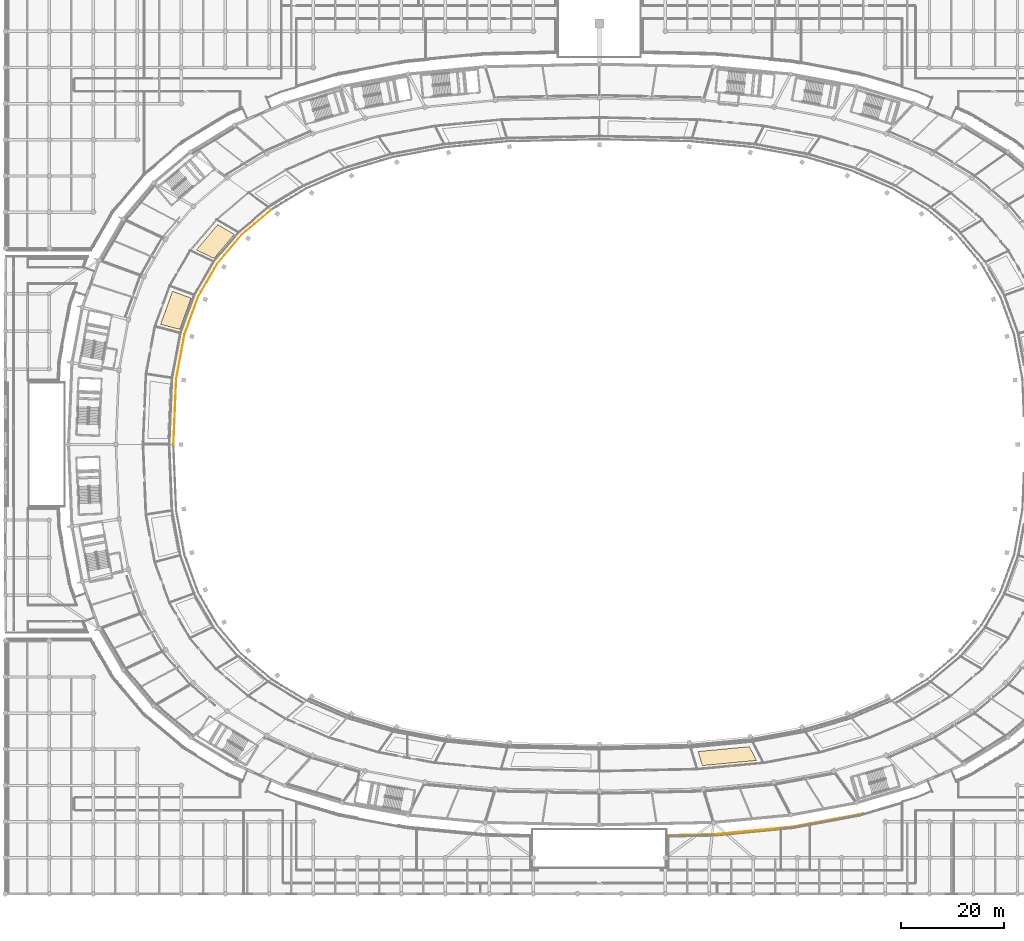
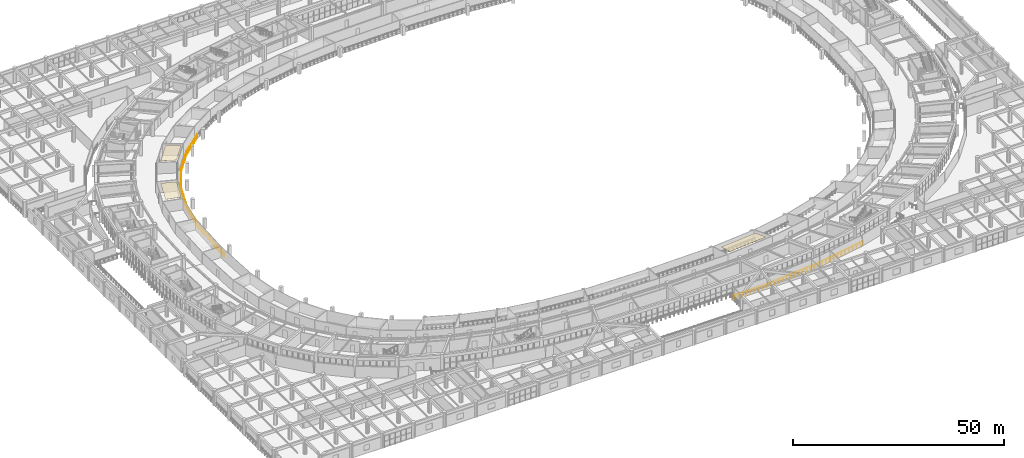
# One storey, part 124 of 141: 3 coverings, 2 railings.
"""IFC4 building model written with IfcOpenShell, lengths in metres."""

from ifc_helpers import new_model, si_unit, direction, frame, origin, origin_2d, place, context, subcontext, project, spatial, polyline, circle, outline, extrude, material, layer, layer_set, type_object, element, save


model = new_model("IFC4")

# Units and contexts
model_context = context("Model", 3, precision=1e-05, world=origin(), true_north=direction((0.0, 1.0)))
body_context = subcontext(model_context, "Body", "Model", "MODEL_VIEW")
ifc_project = project(units=[si_unit("LENGTHUNIT", "METRE"), si_unit("AREAUNIT", "SQUARE_METRE"), si_unit("VOLUMEUNIT", "CUBIC_METRE"), si_unit("PLANEANGLEUNIT", "RADIAN"), si_unit("MASSUNIT", "GRAM", prefix="KILO")], contexts=[model_context])

# Site, building, storey
site_placement = place(None, origin())
site = spatial("IfcSite", under=ifc_project, at=site_placement, CompositionType="ELEMENT")
building_placement = place(site_placement, origin())
building = spatial("IfcBuilding", under=site, at=building_placement, Name="Mphavela Belvedere Stadium", CompositionType="ELEMENT")
storey_placement = place(building_placement, frame((0.0, 0.0, 14.699951171875)))
storey = spatial("IfcBuildingStorey", under=building, at=storey_placement, Name="L03", CompositionType="ELEMENT", Elevation=14.699951171875)

# Coverings
ifc_material_1 = material(Name="Perforated acoustic mineral ceiling tile")
ifc_layer = layer(ifc_material_1, 0.0400390625)
ifc_layer_set = layer_set([ifc_layer], Name="Perforated acoustic mineral ceiling tile")
covering_type = type_object("IfcCoveringType", Name="COV-CEILING-ACOUSTIC", PredefinedType="CEILING", material=ifc_layer_set)
covering_1_placement = place(storey_placement, frame((0.0, 0.0, 3.199951171875)))
element("IfcCovering", 1, at=covering_1_placement, inside=storey, type_object=covering_type, Name="Concourse acoustic ceiling L03-20", PredefinedType="CEILING", context=body_context, shape_type="SweptSolid", body=[
    extrude(outline(polyline([(44.32080078125, 127.683349609375), (40.402099609375, 123.04248046875), (36.976806640625, 124.663818359375), (41.114990234375, 129.564453125), (44.32080078125, 127.683349609375)])), origin(), (0.0, 0.0, 1.0), 0.0400390625),
])
covering_2_placement = place(storey_placement, frame((0.0, 0.0, 3.199951171875)))
element("IfcCovering", 2, at=covering_2_placement, inside=storey, type_object=covering_type, Name="Concourse acoustic ceiling L03-22", PredefinedType="CEILING", context=body_context, shape_type="SweptSolid", body=[
    extrude(outline(polyline([(35.958984375, 115.344970703125), (33.762939453125, 109.291748046875), (30.043701171875, 110.278076171875), (32.362548828125, 116.669921875), (35.958984375, 115.344970703125)])), origin(), (0.0, 0.0, 1.0), 0.0400390625),
])
covering_3_placement = place(storey_placement, frame((0.0, 0.0, 3.199951171875)))
element("IfcCovering", 3, at=covering_3_placement, inside=storey, type_object=covering_type, Name="Concourse acoustic ceiling L03-38", PredefinedType="CEILING", context=body_context, shape_type="SweptSolid", body=[
    extrude(outline(polyline([(134.110595703125, 27.56298828125), (144.038818359375, 28.509765625), (145.41552734375, 25.8447265625), (134.931640625, 24.84521484375), (134.110595703125, 27.56298828125)])), origin(), (0.0, 0.0, 1.0), 0.0400390625),
])

# Railings
ifc_material_2 = material(Name="Bronze and laminated glass stadium balustrade", Category="glass")
railing_type = type_object("IfcRailingType", Name="RAL-BALUSTRADE-1120", PredefinedType="BALUSTRADE", material=ifc_material_2)
railing_1_placement = place(storey_placement, frame((51.526123046875, 132.478515625, 0.0)))
element("IfcRailing", 4, at=railing_1_placement, inside=storey, type_object=railing_type, Name="Bowl safety balustrade l03_bowl S4", PredefinedType="BALUSTRADE", context=body_context, shape_type="SweptSolid", body=[
    extrude(circle(Radius=0.02392578125, at=origin_2d()), frame((0.0, 0.0, 1.09619140625), z_axis=(-0.764258051407, -0.644910560356, 0.0), x_axis=(0.644910560356, -0.764258051407, 0.0)), (0.0, 0.0, 1.0), 7.5361328125),
    extrude(circle(Radius=0.02392578125, at=origin_2d()), frame((-5.759521484375, -4.860107421875, 1.09619140625), z_axis=(-0.645170891965, -0.764038297575, 0.0), x_axis=(0.764038297575, -0.645170891965, 0.0)), (0.0, 0.0, 1.0), 7.338623046875),
    extrude(circle(Radius=0.02392578125, at=origin_2d()), frame((-10.494140625, -10.467041015625, 1.09619140625), z_axis=(-0.500554399388, -0.865705084456, 0.0), x_axis=(0.865705084456, -0.500554399388, 0.0)), (0.0, 0.0, 1.0), 7.390625),
    extrude(circle(Radius=0.02392578125, at=origin_2d()), frame((-14.193603515625, -16.865234375, 1.09619140625), z_axis=(-0.341057611605, -0.940042395622, 0.0), x_axis=(0.940042395622, -0.341057611605, 0.0)), (0.0, 0.0, 1.0), 7.77978515625),
    extrude(circle(Radius=0.02392578125, at=origin_2d()), frame((-16.846923828125, -24.178466796875, 1.09619140625), z_axis=(-0.182605307463, -0.983186300599, 0.0), x_axis=(0.983186300599, -0.182605307463, 0.0)), (0.0, 0.0, 1.0), 8.7412109375),
    extrude(circle(Radius=0.02392578125, at=origin_2d()), frame((-18.443115234375, -32.772705078125, 1.09619140625), z_axis=(-0.041909230152, -0.999121422265, 0.0), x_axis=(0.999121422265, -0.041909230152, 0.0)), (0.0, 0.0, 1.0), 12.717041015625),
    extrude(circle(Radius=0.02099609375, at=origin_2d()), origin(), (0.0, 0.0, 1.0), 1.072021484375),
    extrude(circle(Radius=0.02099609375, at=origin_2d()), frame((-0.82275390625, -0.6943359375, 0.0)), (0.0, 0.0, 1.0), 1.072021484375),
    extrude(circle(Radius=0.02099609375, at=origin_2d()), frame((-1.6455078125, -1.388671875, 0.0)), (0.0, 0.0, 1.0), 1.072021484375),
    extrude(circle(Radius=0.02099609375, at=origin_2d()), frame((-2.46826171875, -2.0830078125, 0.0)), (0.0, 0.0, 1.0), 1.072021484375),
    extrude(circle(Radius=0.02099609375, at=origin_2d()), frame((-3.291259765625, -2.777099609375, 0.0)), (0.0, 0.0, 1.0), 1.072021484375),
    extrude(circle(Radius=0.02099609375, at=origin_2d()), frame((-4.114013671875, -3.471435546875, 0.0)), (0.0, 0.0, 1.0), 1.072021484375),
    extrude(circle(Radius=0.02099609375, at=origin_2d()), frame((-4.936767578125, -4.165771484375, 0.0)), (0.0, 0.0, 1.0), 1.072021484375),
    extrude(circle(Radius=0.02099609375, at=origin_2d()), frame((-5.759521484375, -4.860107421875, 0.0)), (0.0, 0.0, 1.0), 1.072021484375),
    extrude(circle(Radius=0.02099609375, at=origin_2d()), frame((-6.435791015625, -5.6611328125, 0.0)), (0.0, 0.0, 1.0), 1.072021484375),
    extrude(circle(Radius=0.02099609375, at=origin_2d()), frame((-7.1123046875, -6.462158203125, 0.0)), (0.0, 0.0, 1.0), 1.072021484375),
    extrude(circle(Radius=0.02099609375, at=origin_2d()), frame((-7.78857421875, -7.26318359375, 0.0)), (0.0, 0.0, 1.0), 1.072021484375),
    extrude(circle(Radius=0.02099609375, at=origin_2d()), frame((-8.465087890625, -8.06396484375, 0.0)), (0.0, 0.0, 1.0), 1.072021484375),
    extrude(circle(Radius=0.02099609375, at=origin_2d()), frame((-9.141357421875, -8.864990234375, 0.0)), (0.0, 0.0, 1.0), 1.072021484375),
    extrude(circle(Radius=0.02099609375, at=origin_2d()), frame((-9.81787109375, -9.666015625, 0.0)), (0.0, 0.0, 1.0), 1.072021484375),
    extrude(circle(Radius=0.02099609375, at=origin_2d()), frame((-10.494140625, -10.467041015625, 0.0)), (0.0, 0.0, 1.0), 1.072021484375),
    extrude(circle(Radius=0.02099609375, at=origin_2d()), frame((-11.022705078125, -11.381103515625, 0.0)), (0.0, 0.0, 1.0), 1.072021484375),
    extrude(circle(Radius=0.02099609375, at=origin_2d()), frame((-11.551025390625, -12.295166015625, 0.0)), (0.0, 0.0, 1.0), 1.072021484375),
    extrude(circle(Radius=0.02099609375, at=origin_2d()), frame((-12.07958984375, -13.209228515625, 0.0)), (0.0, 0.0, 1.0), 1.072021484375),
    extrude(circle(Radius=0.02099609375, at=origin_2d()), frame((-12.608154296875, -14.123046875, 0.0)), (0.0, 0.0, 1.0), 1.072021484375),
    extrude(circle(Radius=0.02099609375, at=origin_2d()), frame((-13.13671875, -15.037109375, 0.0)), (0.0, 0.0, 1.0), 1.072021484375),
    extrude(circle(Radius=0.02099609375, at=origin_2d()), frame((-13.6650390625, -15.951171875, 0.0)), (0.0, 0.0, 1.0), 1.072021484375),
    extrude(circle(Radius=0.02099609375, at=origin_2d()), frame((-14.193603515625, -16.865234375, 0.0)), (0.0, 0.0, 1.0), 1.072021484375),
    extrude(circle(Radius=0.02099609375, at=origin_2d()), frame((-14.57275390625, -17.909912109375, 0.0)), (0.0, 0.0, 1.0), 1.072021484375),
    extrude(circle(Radius=0.02099609375, at=origin_2d()), frame((-14.95166015625, -18.954833984375, 0.0)), (0.0, 0.0, 1.0), 1.072021484375),
    extrude(circle(Radius=0.02099609375, at=origin_2d()), frame((-15.330810546875, -19.99951171875, 0.0)), (0.0, 0.0, 1.0), 1.072021484375),
    extrude(circle(Radius=0.02099609375, at=origin_2d()), frame((-15.709716796875, -21.044189453125, 0.0)), (0.0, 0.0, 1.0), 1.072021484375),
    extrude(circle(Radius=0.02099609375, at=origin_2d()), frame((-16.0888671875, -22.0888671875, 0.0)), (0.0, 0.0, 1.0), 1.072021484375),
    extrude(circle(Radius=0.02099609375, at=origin_2d()), frame((-16.4677734375, -23.1337890625, 0.0)), (0.0, 0.0, 1.0), 1.072021484375),
    extrude(circle(Radius=0.02099609375, at=origin_2d()), frame((-16.846923828125, -24.178466796875, 0.0)), (0.0, 0.0, 1.0), 1.072021484375),
    extrude(circle(Radius=0.02099609375, at=origin_2d()), frame((-17.04638671875, -25.252685546875, 0.0)), (0.0, 0.0, 1.0), 1.072021484375),
    extrude(circle(Radius=0.02099609375, at=origin_2d()), frame((-17.24609375, -26.3271484375, 0.0)), (0.0, 0.0, 1.0), 1.072021484375),
    extrude(circle(Radius=0.02099609375, at=origin_2d()), frame((-17.445556640625, -27.4013671875, 0.0)), (0.0, 0.0, 1.0), 1.072021484375),
    extrude(circle(Radius=0.02099609375, at=origin_2d()), frame((-17.64501953125, -28.4755859375, 0.0)), (0.0, 0.0, 1.0), 1.072021484375),
    extrude(circle(Radius=0.02099609375, at=origin_2d()), frame((-17.844482421875, -29.5498046875, 0.0)), (0.0, 0.0, 1.0), 1.072021484375),
    extrude(circle(Radius=0.02099609375, at=origin_2d()), frame((-18.0439453125, -30.6240234375, 0.0)), (0.0, 0.0, 1.0), 1.072021484375),
    extrude(circle(Radius=0.02099609375, at=origin_2d()), frame((-18.24365234375, -31.698486328125, 0.0)), (0.0, 0.0, 1.0), 1.072021484375),
    extrude(circle(Radius=0.02099609375, at=origin_2d()), frame((-18.443115234375, -32.772705078125, 0.0)), (0.0, 0.0, 1.0), 1.072021484375),
    extrude(circle(Radius=0.02099609375, at=origin_2d()), frame((-18.491455078125, -33.927734375, 0.0)), (0.0, 0.0, 1.0), 1.072021484375),
    extrude(circle(Radius=0.02099609375, at=origin_2d()), frame((-18.5400390625, -35.082763671875, 0.0)), (0.0, 0.0, 1.0), 1.072021484375),
    extrude(circle(Radius=0.02099609375, at=origin_2d()), frame((-18.58837890625, -36.238037109375, 0.0)), (0.0, 0.0, 1.0), 1.072021484375),
    extrude(circle(Radius=0.02099609375, at=origin_2d()), frame((-18.636962890625, -37.39306640625, 0.0)), (0.0, 0.0, 1.0), 1.072021484375),
    extrude(circle(Radius=0.02099609375, at=origin_2d()), frame((-18.685302734375, -38.548095703125, 0.0)), (0.0, 0.0, 1.0), 1.072021484375),
    extrude(circle(Radius=0.02099609375, at=origin_2d()), frame((-18.73388671875, -39.703125, 0.0)), (0.0, 0.0, 1.0), 1.072021484375),
    extrude(circle(Radius=0.02099609375, at=origin_2d()), frame((-18.7822265625, -40.858154296875, 0.0)), (0.0, 0.0, 1.0), 1.072021484375),
    extrude(circle(Radius=0.02099609375, at=origin_2d()), frame((-18.830810546875, -42.01318359375, 0.0)), (0.0, 0.0, 1.0), 1.072021484375),
    extrude(circle(Radius=0.02099609375, at=origin_2d()), frame((-18.879150390625, -43.16845703125, 0.0)), (0.0, 0.0, 1.0), 1.072021484375),
    extrude(circle(Radius=0.02099609375, at=origin_2d()), frame((-18.927734375, -44.323486328125, 0.0)), (0.0, 0.0, 1.0), 1.072021484375),
    extrude(circle(Radius=0.02099609375, at=origin_2d()), frame((-18.97607421875, -45.478515625, 0.0)), (0.0, 0.0, 1.0), 1.072021484375),
])
railing_2_placement = place(storey_placement, frame((128.280029296875, 11.33544921875, 0.0)))
element("IfcRailing", 5, at=railing_2_placement, inside=storey, type_object=railing_type, Name="Peristyle wing gallery edge balustrade L03-05", PredefinedType="BALUSTRADE", context=body_context, shape_type="SweptSolid", body=[
    extrude(circle(Radius=0.02392578125, at=origin_2d()), frame((0.0, 0.0, 1.09619140625), z_axis=(0.999754122282, 0.022174196285, 0.0), x_axis=(-0.022174196285, 0.999754122282, 0.0)), (0.0, 0.0, 1.0), 9.05029296875),
    extrude(circle(Radius=0.02392578125, at=origin_2d()), frame((9.048095703125, 0.20068359375, 1.09619140625), z_axis=(0.995483637339, 0.094933280733, 0.0), x_axis=(-0.094933280733, 0.995483637339, 0.0)), (0.0, 0.0, 1.0), 15.029052734375),
    extrude(circle(Radius=0.02392578125, at=origin_2d()), frame((24.00927734375, 1.62744140625, 1.09619140625), z_axis=(0.983218910266, 0.18242964259, 0.0), x_axis=(-0.18242964259, 0.983218910266, 0.0)), (0.0, 0.0, 1.0), 13.14990234375),
    extrude(circle(Radius=0.02392578125, at=origin_2d()), frame((36.9384765625, 4.0263671875, 1.09619140625), z_axis=(0.962491054974, 0.271313414882, 0.0), x_axis=(-0.271313414882, 0.962491054974, 0.0)), (0.0, 0.0, 1.0), 0.908935546875),
    extrude(circle(Radius=0.02099609375, at=origin_2d()), origin(), (0.0, 0.0, 1.0), 1.072021484375),
    extrude(circle(Radius=0.02099609375, at=origin_2d()), frame((1.131103515625, 0.025146484375, 0.0)), (0.0, 0.0, 1.0), 1.072021484375),
    extrude(circle(Radius=0.02099609375, at=origin_2d()), frame((2.261962890625, 0.05029296875, 0.0)), (0.0, 0.0, 1.0), 1.072021484375),
    extrude(circle(Radius=0.02099609375, at=origin_2d()), frame((3.39306640625, 0.0751953125, 0.0)), (0.0, 0.0, 1.0), 1.072021484375),
    extrude(circle(Radius=0.02099609375, at=origin_2d()), frame((4.52392578125, 0.100341796875, 0.0)), (0.0, 0.0, 1.0), 1.072021484375),
    extrude(circle(Radius=0.02099609375, at=origin_2d()), frame((5.655029296875, 0.12548828125, 0.0)), (0.0, 0.0, 1.0), 1.072021484375),
    extrude(circle(Radius=0.02099609375, at=origin_2d()), frame((6.7861328125, 0.150390625, 0.0)), (0.0, 0.0, 1.0), 1.072021484375),
    extrude(circle(Radius=0.02099609375, at=origin_2d()), frame((7.9169921875, 0.175537109375, 0.0)), (0.0, 0.0, 1.0), 1.072021484375),
    extrude(circle(Radius=0.02099609375, at=origin_2d()), frame((9.048095703125, 0.20068359375, 0.0)), (0.0, 0.0, 1.0), 1.072021484375),
    extrude(circle(Radius=0.02099609375, at=origin_2d()), frame((10.198974609375, 0.310546875, 0.0)), (0.0, 0.0, 1.0), 1.072021484375),
    extrude(circle(Radius=0.02099609375, at=origin_2d()), frame((11.349853515625, 0.420166015625, 0.0)), (0.0, 0.0, 1.0), 1.072021484375),
    extrude(circle(Radius=0.02099609375, at=origin_2d()), frame((12.500732421875, 0.530029296875, 0.0)), (0.0, 0.0, 1.0), 1.072021484375),
    extrude(circle(Radius=0.02099609375, at=origin_2d()), frame((13.651611328125, 0.6396484375, 0.0)), (0.0, 0.0, 1.0), 1.072021484375),
    extrude(circle(Radius=0.02099609375, at=origin_2d()), frame((14.802490234375, 0.74951171875, 0.0)), (0.0, 0.0, 1.0), 1.072021484375),
    extrude(circle(Radius=0.02099609375, at=origin_2d()), frame((15.953369140625, 0.859130859375, 0.0)), (0.0, 0.0, 1.0), 1.072021484375),
    extrude(circle(Radius=0.02099609375, at=origin_2d()), frame((17.10400390625, 0.968994140625, 0.0)), (0.0, 0.0, 1.0), 1.072021484375),
    extrude(circle(Radius=0.02099609375, at=origin_2d()), frame((18.2548828125, 1.07861328125, 0.0)), (0.0, 0.0, 1.0), 1.072021484375),
    extrude(circle(Radius=0.02099609375, at=origin_2d()), frame((19.40576171875, 1.1884765625, 0.0)), (0.0, 0.0, 1.0), 1.072021484375),
    extrude(circle(Radius=0.02099609375, at=origin_2d()), frame((20.556640625, 1.298095703125, 0.0)), (0.0, 0.0, 1.0), 1.072021484375),
    extrude(circle(Radius=0.02099609375, at=origin_2d()), frame((21.70751953125, 1.407958984375, 0.0)), (0.0, 0.0, 1.0), 1.072021484375),
    extrude(circle(Radius=0.02099609375, at=origin_2d()), frame((22.8583984375, 1.517578125, 0.0)), (0.0, 0.0, 1.0), 1.072021484375),
    extrude(circle(Radius=0.02099609375, at=origin_2d()), frame((24.00927734375, 1.62744140625, 0.0)), (0.0, 0.0, 1.0), 1.072021484375),
    extrude(circle(Radius=0.02099609375, at=origin_2d()), frame((25.1845703125, 1.845458984375, 0.0)), (0.0, 0.0, 1.0), 1.072021484375),
    extrude(circle(Radius=0.02099609375, at=origin_2d()), frame((26.360107421875, 2.063720703125, 0.0)), (0.0, 0.0, 1.0), 1.072021484375),
    extrude(circle(Radius=0.02099609375, at=origin_2d()), frame((27.535400390625, 2.28173828125, 0.0)), (0.0, 0.0, 1.0), 1.072021484375),
    extrude(circle(Radius=0.02099609375, at=origin_2d()), frame((28.710693359375, 2.499755859375, 0.0)), (0.0, 0.0, 1.0), 1.072021484375),
    extrude(circle(Radius=0.02099609375, at=origin_2d()), frame((29.88623046875, 2.7177734375, 0.0)), (0.0, 0.0, 1.0), 1.072021484375),
    extrude(circle(Radius=0.02099609375, at=origin_2d()), frame((31.0615234375, 2.93603515625, 0.0)), (0.0, 0.0, 1.0), 1.072021484375),
    extrude(circle(Radius=0.02099609375, at=origin_2d()), frame((32.237060546875, 3.154052734375, 0.0)), (0.0, 0.0, 1.0), 1.072021484375),
    extrude(circle(Radius=0.02099609375, at=origin_2d()), frame((33.412353515625, 3.3720703125, 0.0)), (0.0, 0.0, 1.0), 1.072021484375),
    extrude(circle(Radius=0.02099609375, at=origin_2d()), frame((34.587646484375, 3.590087890625, 0.0)), (0.0, 0.0, 1.0), 1.072021484375),
    extrude(circle(Radius=0.02099609375, at=origin_2d()), frame((35.76318359375, 3.808349609375, 0.0)), (0.0, 0.0, 1.0), 1.072021484375),
    extrude(circle(Radius=0.02099609375, at=origin_2d()), frame((36.9384765625, 4.0263671875, 0.0)), (0.0, 0.0, 1.0), 1.072021484375),
    extrude(circle(Radius=0.02099609375, at=origin_2d()), frame((37.813232421875, 4.27294921875, 0.0)), (0.0, 0.0, 1.0), 1.072021484375),
])

save(model, "model.ifc")
